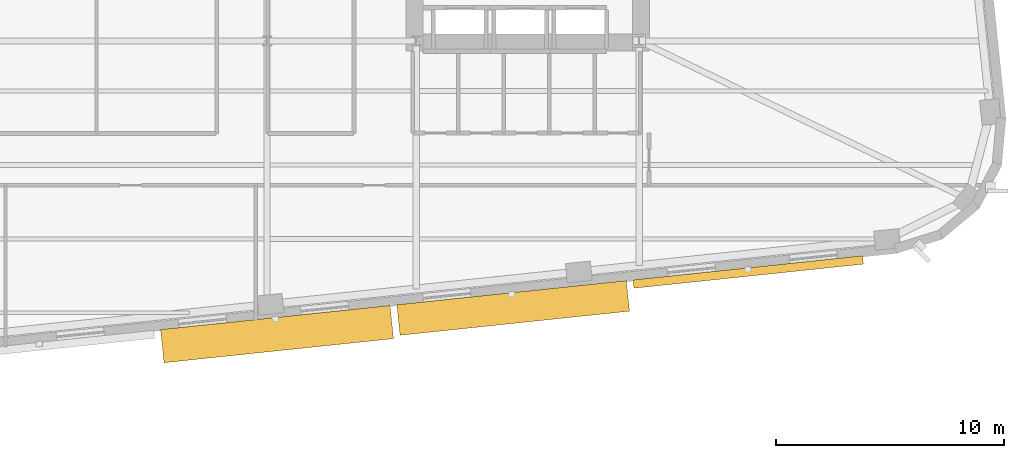
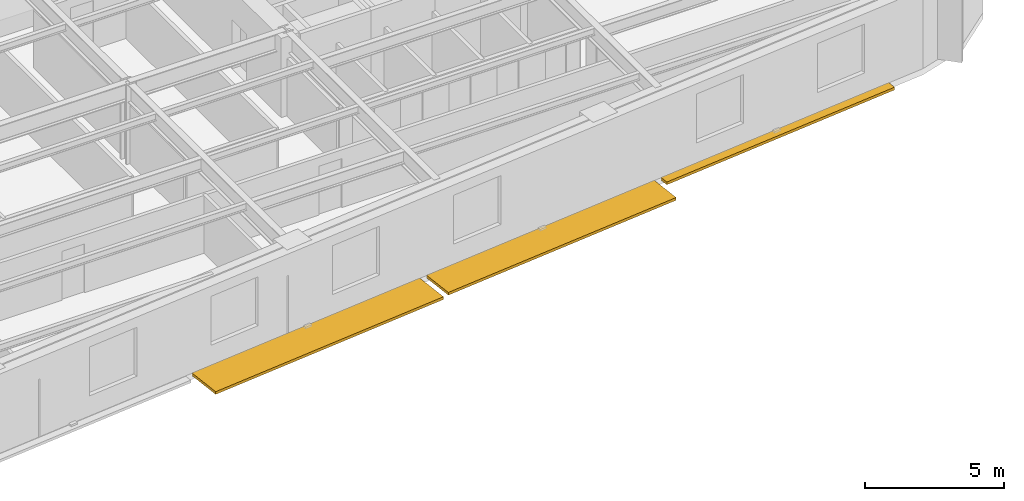
# One storey, part 11 of 15: 3 shading devices.
"""IFC4 building model written with IfcOpenShell, lengths in metres."""

import ifcopenshell
import ifcopenshell.guid

model = None  # the IFC model being written
_history = None  # IfcOwnerHistory: only IFC2X3 demands one
_inside = {}  # id of a spatial element -> (the spatial element, [elements in it])
_under = {}  # id of a project, library or spatial element -> (it, [spatial elements below it])
_declared = {}  # id of a project -> (the project, [libraries it declares])
_typed = {}  # id of a type object -> (the type object, [elements of that type])
_made_of = {}  # id of a material, layer set ... -> (it, [elements and type objects made of it])


def new_model(schema):
    """Start an empty IFC model of exactly this schema.

    Asked for "IFC4X3", IfcOpenShell would pick the latest addendum, in which some entities
    have other attributes; the version numbers below select the first issue.
    IFC2X3 requires an IfcOwnerHistory on every rooted entity: one is made here for all.
    """
    global model, _history
    if schema == "IFC4X3":
        model = ifcopenshell.file(schema_version=(4, 3, 0, 0))
    else:
        model = ifcopenshell.file(schema=schema)
    _inside.clear()
    _under.clear()
    _declared.clear()
    _typed.clear()
    _made_of.clear()
    _history = None
    if model.schema == "IFC2X3":
        org = make("IfcOrganization", Name="unknown")
        user = make(
            "IfcPersonAndOrganization",
            ThePerson=make("IfcPerson", FamilyName="unknown"),
            TheOrganization=org,
        )
        app = make(
            "IfcApplication",
            ApplicationDeveloper=org,
            Version="unknown",
            ApplicationFullName="unknown",
            ApplicationIdentifier="unknown",
        )
        _history = make(
            "IfcOwnerHistory",
            OwningUser=user,
            OwningApplication=app,
            ChangeAction="ADDED",
            CreationDate=0,
        )
    return model


def make(cls, **values):
    """One entity of the class cls with the attributes given. An attribute that is None is left unset."""
    return model.create_entity(
        cls, **{name: value for name, value in values.items() if value is not None}
    )


def rooted(cls, **values):
    """An entity with a GlobalId (a new one), such as an element, a storey or a relation."""
    return make(cls, GlobalId=ifcopenshell.guid.new(), OwnerHistory=_history, **values)


def si_unit(unit_type, name, prefix=None):
    """IfcSIUnit, for example si_unit("LENGTHUNIT", "METRE", prefix="MILLI")."""
    return make("IfcSIUnit", UnitType=unit_type, Prefix=prefix, Name=name)


def assignment(units):
    """IfcUnitAssignment: the units of a project."""
    return None if units is None else make("IfcUnitAssignment", Units=units)


def point(xyz):
    """IfcCartesianPoint."""
    return None if xyz is None else make("IfcCartesianPoint", Coordinates=xyz)


def direction(xyz):
    """IfcDirection."""
    return None if xyz is None else make("IfcDirection", DirectionRatios=xyz)


def frame(location, z_axis=None, x_axis=None):
    """IfcAxis2Placement3D, a coordinate frame: its origin and axes. An axis left out is left unset."""
    return make(
        "IfcAxis2Placement3D",
        Location=point(location),
        Axis=direction(z_axis),
        RefDirection=direction(x_axis),
    )


def frame_2d(location, x_axis=None):
    """IfcAxis2Placement2D, a coordinate frame in the plane: its origin and x axis."""
    return make(
        "IfcAxis2Placement2D", Location=point(location), RefDirection=direction(x_axis)
    )


def origin():
    """The frame at (0, 0, 0) with its axes left unset."""
    return frame((0.0, 0.0, 0.0))


def origin_2d():
    """The frame at (0, 0) in the plane with its x axis left unset."""
    return frame_2d((0.0, 0.0))


def place(relative_to, where):
    """IfcLocalPlacement: puts the frame where relative to a parent placement (None: the world)."""
    return make(
        "IfcLocalPlacement", PlacementRelTo=relative_to, RelativePlacement=where
    )


def context(
    kind, dimensions, precision=None, world=None, true_north=None, identifier=None
):
    """IfcGeometricRepresentationContext, for example the 3D "Model" context."""
    return make(
        "IfcGeometricRepresentationContext",
        ContextIdentifier=identifier,
        ContextType=kind,
        CoordinateSpaceDimension=dimensions,
        Precision=precision,
        WorldCoordinateSystem=world,
        TrueNorth=true_north,
    )


def subcontext(parent, identifier, kind, view, scale=None):
    """IfcGeometricRepresentationSubContext, for example "Body" below "Model"."""
    return make(
        "IfcGeometricRepresentationSubContext",
        ContextIdentifier=identifier,
        ContextType=kind,
        ParentContext=parent,
        TargetScale=scale,
        TargetView=view,
    )


def project(units=None, contexts=None):
    """IfcProject with its units and contexts."""
    return rooted(
        "IfcProject",
        Name="project",
        RepresentationContexts=contexts,
        UnitsInContext=assignment(units),
    )


def spatial(cls, under=None, at=None, **own):
    """A site, building, storey or space (cls), placed at a placement, below another one or the project."""
    s = rooted(cls, ObjectPlacement=at, **own)
    if under is not None:
        _under.setdefault(under.id(), (under, []))[1].append(s)
    return s


def profile(cls, at=None, kind="AREA", **sizes):
    """A parametric profile (cls). Its sizes go by their IFC names, for example OverallWidth=200.0."""
    return make(cls, ProfileType=kind, Position=at, **sizes)


def rectangle(**sizes):
    """IfcRectangleProfileDef."""
    return profile("IfcRectangleProfileDef", **sizes)


def extrude(swept, where, along, depth):
    """IfcExtrudedAreaSolid: the profile swept, set in the frame where, extruded along a direction by depth."""
    return make(
        "IfcExtrudedAreaSolid",
        SweptArea=swept,
        Position=where,
        ExtrudedDirection=direction(along),
        Depth=depth,
    )


def shape(context_of_items, identifier, shape_type, items):
    """IfcShapeRepresentation: the items that make up one representation, for example the "Body"."""
    return make(
        "IfcShapeRepresentation",
        ContextOfItems=context_of_items,
        RepresentationIdentifier=identifier,
        RepresentationType=shape_type,
        Items=items,
    )


def material(Name=None, Category=None):
    """IfcMaterial."""
    return make("IfcMaterial", Name=Name, Category=Category)


def made_of(thing, what):
    """Note that an element or type object is made of a material, layer set ...; save() writes the relation."""
    if what is not None:
        _made_of.setdefault(what.id(), (what, []))[1].append(thing)
    return thing


def type_object(cls, material=None, **own):
    """A type object (cls), such as IfcWallType, which elements share."""
    return made_of(rooted(cls, **own), material)


def element(
    cls,
    number,
    at=None,
    inside=None,
    cuts=None,
    type_object=None,
    material=None,
    context=None,
    identifier="Body",
    shape_type=None,
    held_by="IfcProductDefinitionShape",
    body=None,
    shapes=None,
    **own,
):
    """One element of the class cls, such as IfcWall. Its Tag is "e" and its number.

    at: its placement. inside: the storey or other place that contains it. cuts: it is an
    opening in that element (IfcRelVoidsElement). A single representation is given by context,
    identifier, shape_type and body (its items); several are given by shapes. held_by: the class
    of the entity that holds the representations. save() writes the other relations.
    """
    e = rooted(cls, Tag="e%d" % number, ObjectPlacement=at, **own)
    if body is not None:
        shapes = [shape(context, identifier, shape_type, body)]
    if shapes is not None:
        e.Representation = make(held_by, Representations=shapes)
    if inside is not None:
        _inside.setdefault(inside.id(), (inside, []))[1].append(e)
    if cuts is not None:
        rooted(
            "IfcRelVoidsElement", RelatingBuildingElement=cuts, RelatedOpeningElement=e
        )
    if type_object is not None:
        _typed.setdefault(type_object.id(), (type_object, []))[1].append(e)
    return made_of(e, material)


def aggregate(whole, parts):
    """IfcRelAggregates: a whole, such as a stair, and the parts it consists of."""
    return rooted("IfcRelAggregates", RelatingObject=whole, RelatedObjects=parts)


def save(model, path):
    """Write the relations noted so far, then the file.

    IfcRelAggregates (storeys below a building ...), IfcRelContainedInSpatialStructure (elements
    in a storey), IfcRelDefinesByType, IfcRelAssociatesMaterial and IfcRelDeclares: one each for
    every whole, place, type object, material and project.
    """
    for whole, parts in _under.values():
        aggregate(whole, parts)
    for where, things in _inside.values():
        rooted(
            "IfcRelContainedInSpatialStructure",
            RelatedElements=things,
            RelatingStructure=where,
        )
    for kind, things in _typed.values():
        rooted("IfcRelDefinesByType", RelatedObjects=things, RelatingType=kind)
    for what, things in _made_of.values():
        rooted("IfcRelAssociatesMaterial", RelatedObjects=things, RelatingMaterial=what)
    for by, libraries in _declared.values():
        rooted("IfcRelDeclares", RelatingContext=by, RelatedDefinitions=libraries)
    model.write(path)


model = new_model("IFC4")

# Units and contexts
model_context = context("Model", 3, precision=1e-05, world=origin(), true_north=direction((0.0, 1.0)))
body_context = subcontext(model_context, "Body", "Model", "MODEL_VIEW")
ifc_project = project(units=[si_unit("LENGTHUNIT", "METRE"), si_unit("AREAUNIT", "SQUARE_METRE"), si_unit("VOLUMEUNIT", "CUBIC_METRE"), si_unit("PLANEANGLEUNIT", "RADIAN"), si_unit("MASSUNIT", "GRAM", prefix="KILO")], contexts=[model_context])

# Site, building, storey
site_placement = place(None, origin())
site = spatial("IfcSite", under=ifc_project, at=site_placement, CompositionType="ELEMENT")
building_placement = place(site_placement, origin())
building = spatial("IfcBuilding", under=site, at=building_placement, Name="Kolvaren Arena Tower", CompositionType="ELEMENT")
storey_placement = place(building_placement, frame((0.0, 0.0, 118.449951171875)))
storey = spatial("IfcBuildingStorey", under=building, at=storey_placement, Name="L27", CompositionType="ELEMENT", Elevation=118.449951171875)

# Shading devices
ifc_material = material(Name="Architectural precast GFRC and anodised aluminium sunshade", Category="concrete")
shading_device_type_1 = type_object("IfcShadingDeviceType", Name="SHAD-SINE-A", PredefinedType="USERDEFINED", material=ifc_material)
shading_device_1_placement = place(storey_placement, frame((65.143310546875, 9.29150390625, -0.139892578125), z_axis=(0.0, 0.0, 1.0), x_axis=(-0.994522077803, -0.104526727499, 0.0)))
element("IfcShadingDevice", 1, at=shading_device_1_placement, inside=storey, type_object=shading_device_type_1, Name="Sinusoidal Slab-Edge Sunshade Louvre (L27)", ObjectType="LOUVRE", PredefinedType="USERDEFINED", context=body_context, shape_type="SweptSolid", body=[
    extrude(rectangle(XDim=10.139892578125, YDim=0.3681640625, at=origin_2d()), origin(), (0.0, 0.0, 1.0), 0.1201171875),
])
shading_device_type_2 = type_object("IfcShadingDeviceType", Name="SHAD-SINE-B", PredefinedType="JALOUSIE", material=ifc_material)
shading_device_2_placement = place(storey_placement, frame((54.81201171875, 7.7119140625, -0.139892578125), z_axis=(0.0, 0.0, 1.0), x_axis=(-0.994522077803, -0.104526727499, 0.0)))
element("IfcShadingDevice", 2, at=shading_device_2_placement, inside=storey, type_object=shading_device_type_2, Name="Sinusoidal Slab-Edge Sunshade Louvre (L27)", PredefinedType="JALOUSIE", context=body_context, shape_type="SweptSolid", body=[
    extrude(rectangle(XDim=10.139892578125, YDim=1.349853515625, at=origin_2d()), origin(), (0.0, 0.0, 1.0), 0.1201171875),
])
shading_device_3_placement = place(storey_placement, frame((44.435302734375, 6.56298828125, -0.139892578125), z_axis=(0.0, 0.0, 1.0), x_axis=(-0.994522077803, -0.104526727499, 0.0)))
element("IfcShadingDevice", 3, at=shading_device_3_placement, inside=storey, type_object=shading_device_type_2, Name="Sinusoidal Slab-Edge Sunshade Louvre (L27)", PredefinedType="JALOUSIE", context=body_context, shape_type="SweptSolid", body=[
    extrude(rectangle(XDim=10.139892578125, YDim=1.4658203125, at=origin_2d()), origin(), (0.0, 0.0, 1.0), 0.1201171875),
])

save(model, "model.ifc")
